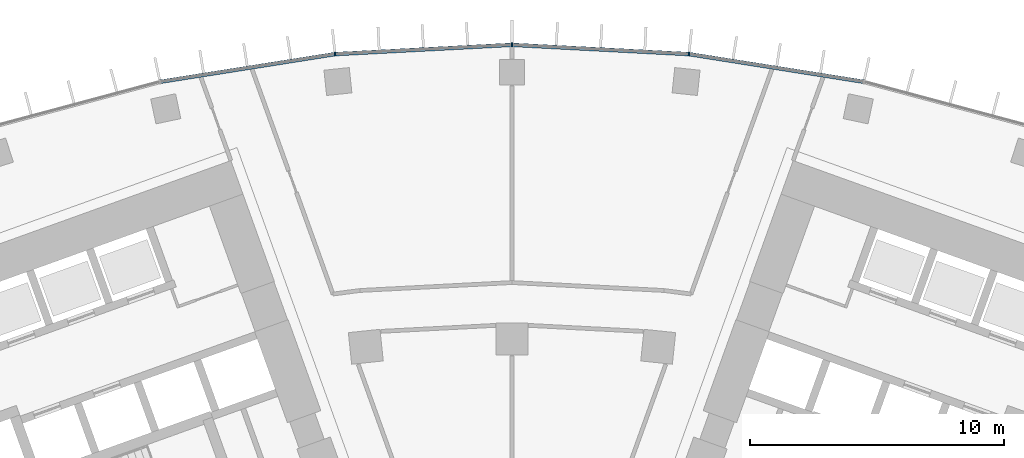
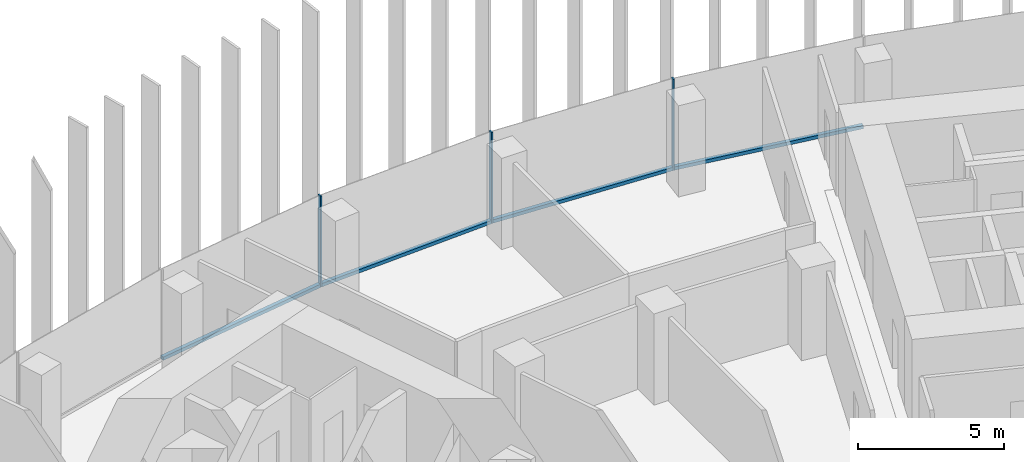
# One storey, part 7 of 23: 7 members, 1 element without a shape of its own.
"""IFC4 building model written with IfcOpenShell, lengths in metres."""

from ifc_helpers import new_model, si_unit, direction, frame, origin, origin_2d, place, context, subcontext, project, spatial, rectangle, extrude, material, layer, layer_set, material_profile, profile_set, type_object, element, aggregate, save


model = new_model("IFC4")

# Units and contexts
model_context = context("Model", 3, precision=1e-05, world=origin(), true_north=direction((0.0, 1.0)))
body_context = subcontext(model_context, "Body", "Model", "MODEL_VIEW")
ifc_project = project(units=[si_unit("LENGTHUNIT", "METRE"), si_unit("AREAUNIT", "SQUARE_METRE"), si_unit("VOLUMEUNIT", "CUBIC_METRE"), si_unit("PLANEANGLEUNIT", "RADIAN"), si_unit("MASSUNIT", "GRAM", prefix="KILO")], contexts=[model_context])

# Site, building, storey
site_placement = place(None, origin())
site = spatial("IfcSite", under=ifc_project, at=site_placement, CompositionType="ELEMENT")
building_placement = place(site_placement, origin())
building = spatial("IfcBuilding", under=site, at=building_placement, Name="Stone Belt Terrace Tower", CompositionType="ELEMENT")
storey_placement = place(building_placement, frame((0.0, 0.0, 144.0)))
storey = spatial("IfcBuildingStorey", under=building, at=storey_placement, Name="L34", CompositionType="ELEMENT", Elevation=144.0)

# Curtain wall, members
ifc_material = material(Name="Aluminium 6063-T6 anodised frame", Category="aluminium")
ifc_layer = layer(ifc_material, 0.14990234375)
ifc_layer_set = layer_set([ifc_layer], Name="CW-A unitised convex-face curtain wall")
curtain_wall_type = type_object("IfcCurtainWallType", Name="CW-A unitised convex-face curtain wall", PredefinedType="NOTDEFINED", material=ifc_layer_set)
curtain_wall_placement = place(storey_placement, origin())
curtain_wall = element("IfcCurtainWall", 1, at=curtain_wall_placement, inside=storey, type_object=curtain_wall_type, Name="CW-A convex face L34", PredefinedType="NOTDEFINED")
ifc_material_profile_1 = material_profile(ifc_material, rectangle(XDim=0.14990234375, YDim=0.06005859375, at=origin_2d()), Name="Aluminium 6063-T6 60x150")
ifc_profile_set_1 = profile_set([ifc_material_profile_1], Name="Aluminium 6063-T6 anodised frame")
member_type_1 = type_object("IfcMemberType", Name="CW-A mullion 60 x 150", PredefinedType="MULLION", material=ifc_profile_set_1)
member_1_placement = place(storey_placement, frame((6.958984375, 66.21044921875, 0.0), z_axis=(0.0, 0.0, 1.0), x_axis=(-0.104528463268, -0.994521895368, 0.0)))
member_1 = element("IfcMember", 2, at=member_1_placement, type_object=member_type_1, Name="CW-A mullion 8", PredefinedType="MULLION", context=body_context, shape_type="SweptSolid", body=[
    extrude(rectangle(XDim=0.14990234375, YDim=0.06005859375, at=origin_2d()), origin(), (0.0, 0.0, 1.0), 3.800048828125),
])
member_2_placement = place(storey_placement, frame((0.0, 66.5751953125, 0.0), z_axis=(0.0, 0.0, 1.0), x_axis=(0.0, -1.0, 0.0)))
member_2 = element("IfcMember", 3, at=member_2_placement, type_object=member_type_1, Name="CW-A mullion 9", PredefinedType="MULLION", context=body_context, shape_type="SweptSolid", body=[
    extrude(rectangle(XDim=0.14990234375, YDim=0.06005859375, at=origin_2d()), origin(), (0.0, 0.0, 1.0), 3.800048828125),
])
member_3_placement = place(storey_placement, frame((-6.958984375, 66.21044921875, 0.0), z_axis=(0.0, 0.0, 1.0), x_axis=(0.104528463268, -0.994521895368, 0.0)))
member_3 = element("IfcMember", 4, at=member_3_placement, type_object=member_type_1, Name="CW-A mullion 10", PredefinedType="MULLION", context=body_context, shape_type="SweptSolid", body=[
    extrude(rectangle(XDim=0.14990234375, YDim=0.06005859375, at=origin_2d()), origin(), (0.0, 0.0, 1.0), 3.800048828125),
])
ifc_material_profile_2 = material_profile(ifc_material, rectangle(XDim=0.14990234375, YDim=0.139892578125, at=origin_2d()), Name="Aluminium 6063-T6 150x140")
ifc_profile_set_2 = profile_set([ifc_material_profile_2], Name="Aluminium 6063-T6 anodised frame")
member_type_2 = type_object("IfcMemberType", Name="CW-A transom 140 x 150", PredefinedType="USERDEFINED", material=ifc_profile_set_2)
member_4_placement = place(storey_placement, frame((13.808349609375, 65.12548828125, 0.070068359375), z_axis=(-0.987687120531, 0.156442168027, 0.0), x_axis=(-0.156442168027, -0.987687120531, 0.0)))
member_4 = element("IfcMember", 5, at=member_4_placement, type_object=member_type_2, Name="CW-A transom 7.1", ObjectType="TRANSOM", PredefinedType="USERDEFINED", context=body_context, shape_type="SweptSolid", body=[
    extrude(rectangle(XDim=0.14990234375, YDim=0.139892578125, at=origin_2d()), origin(), (0.0, 0.0, 1.0), 6.90087890625),
])
member_5_placement = place(storey_placement, frame((6.925048828125, 66.212158203125, 0.070068359375), z_axis=(-0.998630019135, 0.052326712899, 0.0), x_axis=(-0.052326712899, -0.998630019135, 0.0)))
member_5 = element("IfcMember", 6, at=member_5_placement, type_object=member_type_2, Name="CW-A transom 8.1", ObjectType="TRANSOM", PredefinedType="USERDEFINED", context=body_context, shape_type="SweptSolid", body=[
    extrude(rectangle(XDim=0.14990234375, YDim=0.139892578125, at=origin_2d()), origin(), (0.0, 0.0, 1.0), 6.900634765625),
])
member_6_placement = place(storey_placement, frame((-0.033935546875, 66.5732421875, 0.070068359375), z_axis=(-0.998630019135, -0.052326712899, 0.0), x_axis=(0.052326712899, -0.998630019135, 0.0)))
member_6 = element("IfcMember", 7, at=member_6_placement, type_object=member_type_2, Name="CW-A transom 9.1", ObjectType="TRANSOM", PredefinedType="USERDEFINED", context=body_context, shape_type="SweptSolid", body=[
    extrude(rectangle(XDim=0.14990234375, YDim=0.139892578125, at=origin_2d()), origin(), (0.0, 0.0, 1.0), 6.900634765625),
])
member_7_placement = place(storey_placement, frame((-6.992431640625, 66.205078125, 0.070068359375), z_axis=(-0.987687120531, -0.156442168027, 0.0), x_axis=(0.156442168027, -0.987687120531, 0.0)))
member_7 = element("IfcMember", 8, at=member_7_placement, type_object=member_type_2, Name="CW-A transom 10.1", ObjectType="TRANSOM", PredefinedType="USERDEFINED", context=body_context, shape_type="SweptSolid", body=[
    extrude(rectangle(XDim=0.14990234375, YDim=0.139892578125, at=origin_2d()), origin(), (0.0, 0.0, 1.0), 6.90087890625),
])
aggregate(curtain_wall, [member_1, member_2, member_3, member_4, member_5, member_6, member_7])

save(model, "model.ifc")
